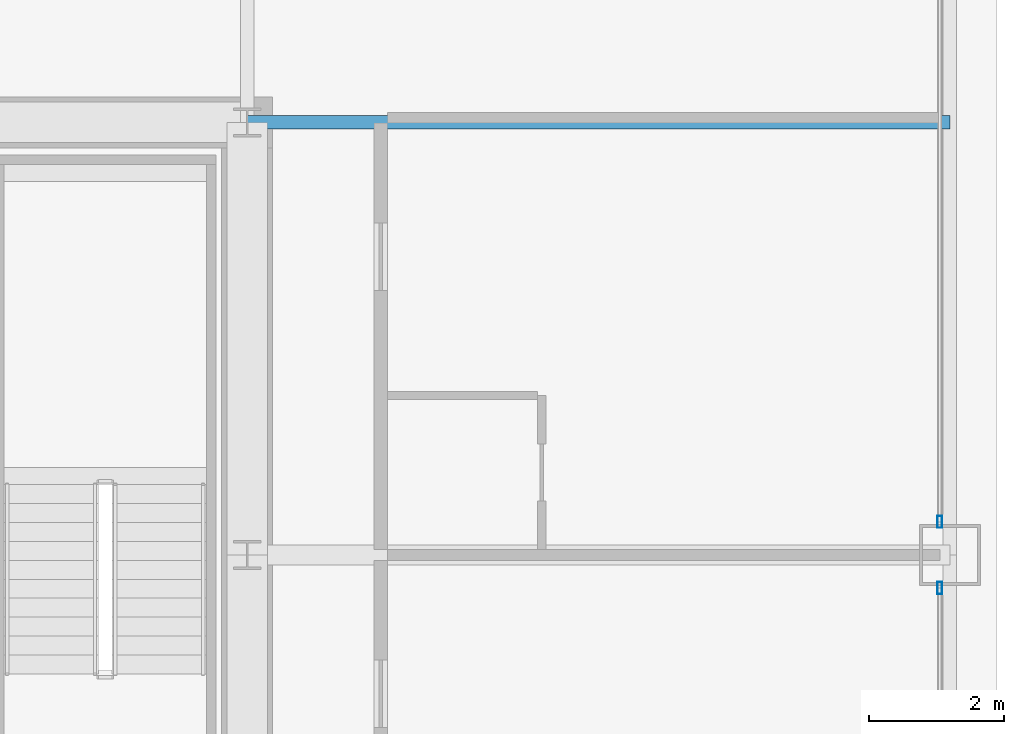
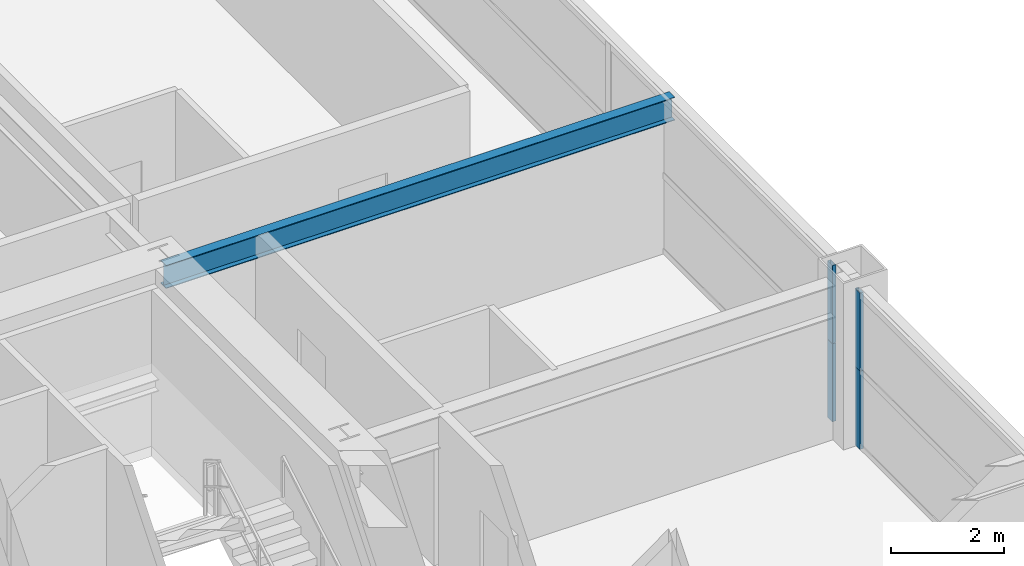
# One storey, part 20 of 41: 4 members, 1 beam, 2 elements without a shape of their own.
"""IFC4 building model written with IfcOpenShell, lengths in metres."""

from ifc_helpers import new_model, si_unit, direction, frame, origin, origin_2d, place, context, subcontext, project, spatial, hollow_rectangle, i_section, extrude, source, transform, mapped, material, layer, layer_set, material_profile, profile_set, type_object, element, aggregate, save


model = new_model("IFC4")

# Units and contexts
model_context = context("Model", 3, precision=1e-05, world=origin(), true_north=direction((0.0, 1.0)))
body_context = subcontext(model_context, "Body", "Model", "MODEL_VIEW")
ifc_project = project(units=[si_unit("LENGTHUNIT", "METRE"), si_unit("AREAUNIT", "SQUARE_METRE"), si_unit("VOLUMEUNIT", "CUBIC_METRE"), si_unit("PLANEANGLEUNIT", "RADIAN"), si_unit("MASSUNIT", "GRAM", prefix="KILO"), si_unit("THERMODYNAMICTEMPERATUREUNIT", "KELVIN"), si_unit("POWERUNIT", "WATT")], contexts=[model_context])

# Site, building, storey
site_placement = place(None, origin())
site = spatial("IfcSite", under=ifc_project, at=site_placement, CompositionType="ELEMENT")
building_placement = place(site_placement, origin())
building = spatial("IfcBuilding", under=site, at=building_placement, Name="Yuzanri Waterfront Tower", CompositionType="ELEMENT")
storey_placement = place(building_placement, frame((0.0, 0.0, 122.60009765625)))
storey = spatial("IfcBuildingStorey", under=building, at=storey_placement, Name="L32", CompositionType="ELEMENT", Elevation=122.60009765625)

# Beam
ifc_material_1 = material(Name="Steel Q355B", Category="steel")
ifc_material_profile_1 = material_profile(ifc_material_1, i_section(OverallWidth=0.199951171875, OverallDepth=0.5, WebThickness=0.010009765625, FlangeThickness=0.01611328125, at=origin_2d()), Name="HN 500x200x10x16")
ifc_profile_set_1 = profile_set([ifc_material_profile_1], Name="Steel Q355B")
beam_type = type_object("IfcBeamType", Name="Secondary Floor Beam Q355B HN 500x200", PredefinedType="BEAM", material=ifc_profile_set_1)
shared_shape_1 = source(origin(), body_context, "Body", "SweptSolid", [
    extrude(i_section(OverallWidth=0.199951171875, OverallDepth=0.5, WebThickness=0.010009765625, FlangeThickness=0.01611328125, at=origin_2d()), origin(), (0.0, 0.0, 1.0), 10.400146484375),
])
beam_placement = place(storey_placement, frame((50.199951171875, 32.199951171875, 3.1298828125), z_axis=(1.0, 0.0, 0.0), x_axis=(0.0, 1.0, 0.0)))
element("IfcBeam", 1, at=beam_placement, inside=storey, type_object=beam_type, Name="L32 East-North Core Line Beam", PredefinedType="BEAM", context=body_context, shape_type="MappedRepresentation", body=[
    mapped(shared_shape_1, transform((0.0, 0.0, 0.0), scale=1.0)),
])

# Curtain wall, members
ifc_material_2 = material(Name="Anodized Architectural Bronze", Category="metal")
ifc_layer = layer(ifc_material_2, 0.159912109375)
ifc_layer_set = layer_set([ifc_layer], Name="Anodized Architectural Bronze")
curtain_wall_type = type_object("IfcCurtainWallType", Name="Anodized Bronze Hotel Upper-Tier Solar-Control Unitized Curtain Wall 7800", PredefinedType="NOTDEFINED", material=ifc_layer_set)
curtain_wall_1_placement = place(storey_placement, origin())
curtain_wall_1 = element("IfcCurtainWall", 2, at=curtain_wall_1_placement, inside=storey, type_object=curtain_wall_type, Name="L32 Curtain Wall CW-L32-EL", PredefinedType="NOTDEFINED")
ifc_material_3 = material(Name="Anodized Architectural Bronze", Category="metal")
ifc_material_profile_2 = material_profile(ifc_material_3, hollow_rectangle(XDim=0.070068359375, YDim=0.179931640625, WallThickness=0.00390625, at=origin_2d()), Name="CWM 70x180")
ifc_profile_set_2 = profile_set([ifc_material_profile_2], Name="Anodized Architectural Bronze")
member_type = type_object("IfcMemberType", Name="Anodized Bronze Standard Curtain-Wall Mullion 70x180", PredefinedType="MULLION", material=ifc_profile_set_2)
shared_shape_2 = source(origin(), body_context, "Body", "SweptSolid", [
    extrude(hollow_rectangle(XDim=0.070068359375, YDim=0.179931640625, WallThickness=0.00390625, at=origin_2d()), origin(), (0.0, 0.0, 1.0), 1.68798828125),
])
member_1_placement = place(storey_placement, frame((60.449951171875, 25.31005859375, 0.0), z_axis=(0.0, 0.0, 1.0), x_axis=(1.0, 0.0, 0.0)))
member_1 = element("IfcMember", 3, at=member_1_placement, type_object=member_type, Name="CW-L32-EL Lower Mullion 02", PredefinedType="MULLION", context=body_context, shape_type="MappedRepresentation", body=[
    mapped(shared_shape_2, transform((0.0, 0.0, 0.0), scale=1.0)),
])
member_2_placement = place(storey_placement, frame((60.449951171875, 25.31005859375, 1.69189453125), z_axis=(0.0, 0.0, 1.0), x_axis=(1.0, 0.0, 0.0)))
member_2 = element("IfcMember", 4, at=member_2_placement, type_object=member_type, Name="CW-L32-EL Upper Mullion 02", PredefinedType="MULLION", context=body_context, shape_type="MappedRepresentation", body=[
    mapped(shared_shape_2, transform((0.0, 0.0, 0.0), scale=1.0)),
])
aggregate(curtain_wall_1, [member_1, member_2])

curtain_wall_2_placement = place(storey_placement, origin())
curtain_wall_2 = element("IfcCurtainWall", 5, at=curtain_wall_2_placement, inside=storey, type_object=curtain_wall_type, Name="L32 Curtain Wall CW-L32-ER", PredefinedType="NOTDEFINED")
member_3_placement = place(storey_placement, frame((60.449951171875, 26.2900390625, 0.0), z_axis=(0.0, 0.0, 1.0), x_axis=(1.0, 0.0, 0.0)))
member_3 = element("IfcMember", 6, at=member_3_placement, type_object=member_type, Name="CW-L32-ER Lower Mullion 00", PredefinedType="MULLION", context=body_context, shape_type="MappedRepresentation", body=[
    mapped(shared_shape_2, transform((0.0, 0.0, 0.0), scale=1.0)),
])
member_4_placement = place(storey_placement, frame((60.449951171875, 26.2900390625, 1.69189453125), z_axis=(0.0, 0.0, 1.0), x_axis=(1.0, 0.0, 0.0)))
member_4 = element("IfcMember", 7, at=member_4_placement, type_object=member_type, Name="CW-L32-ER Upper Mullion 00", PredefinedType="MULLION", context=body_context, shape_type="MappedRepresentation", body=[
    mapped(shared_shape_2, transform((0.0, 0.0, 0.0), scale=1.0)),
])
aggregate(curtain_wall_2, [member_3, member_4])

save(model, "model.ifc")
